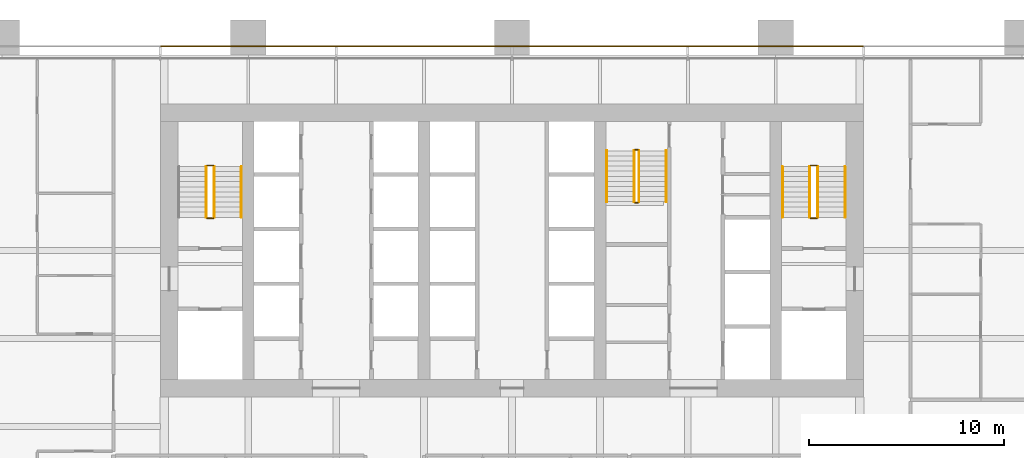
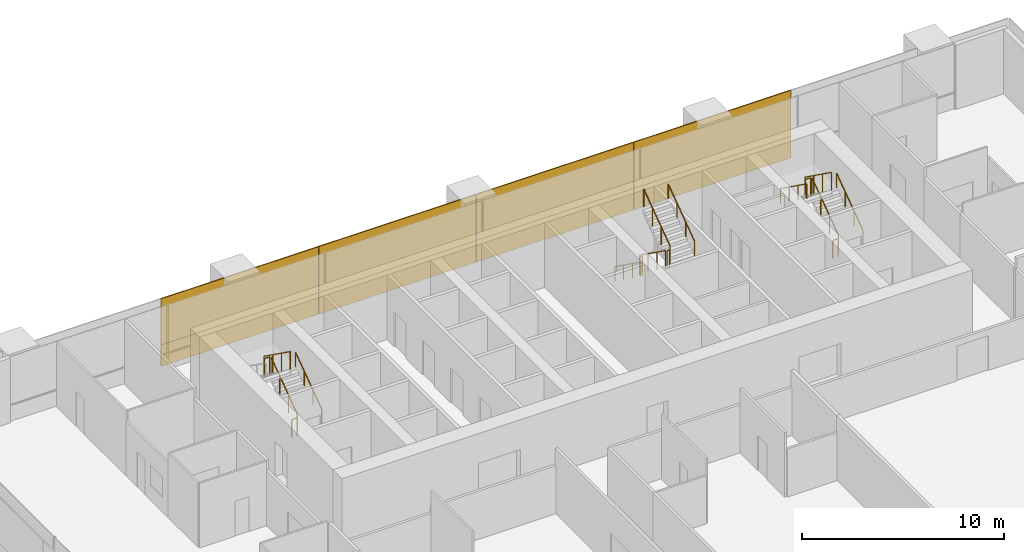
# One storey, part 18 of 19: 17 railings, 8 coverings.
"""IFC4 building model written with IfcOpenShell, lengths in metres."""

from ifc_helpers import new_model, si_unit, direction, frame, origin, origin_2d, place, context, subcontext, project, spatial, rectangle, extrude, material, layer, layer_set, type_object, element, save


model = new_model("IFC4")

# Units and contexts
model_context = context("Model", 3, precision=1e-05, world=origin(), true_north=direction((0.0, 1.0)))
body_context = subcontext(model_context, "Body", "Model", "MODEL_VIEW")
ifc_project = project(units=[si_unit("LENGTHUNIT", "METRE"), si_unit("AREAUNIT", "SQUARE_METRE"), si_unit("VOLUMEUNIT", "CUBIC_METRE"), si_unit("PLANEANGLEUNIT", "RADIAN"), si_unit("MASSUNIT", "GRAM", prefix="KILO")], contexts=[model_context])

# Site, building, storey
site_placement = place(None, origin())
site = spatial("IfcSite", under=ifc_project, at=site_placement, CompositionType="ELEMENT")
building_placement = place(site_placement, origin())
building = spatial("IfcBuilding", under=site, at=building_placement, Name="Rattan Terrace Tower", CompositionType="ELEMENT")
storey_placement = place(building_placement, frame((0.0, 0.0, 52.89990234375)))
storey = spatial("IfcBuildingStorey", under=building, at=storey_placement, Name="L11", CompositionType="ELEMENT", Elevation=52.89990234375)

# Railings
ifc_material_1 = material(Name="Powder-coated steel guard", Category="steel")
railing_type_1 = type_object("IfcRailingType", Name="Core stair guard", PredefinedType="GUARDRAIL", material=ifc_material_1)
railing_1_placement = place(storey_placement, frame((-15.25, 1.699951171875, 0.1865234375)))
element("IfcRailing", 1, at=railing_1_placement, inside=storey, type_object=railing_type_1, Name="L11 S1 stair guard 1", PredefinedType="GUARDRAIL", context=body_context, shape_type="SweptSolid", body=[
    extrude(rectangle(XDim=0.048095703125, YDim=0.048095703125, at=origin_2d()), frame((0.0, 0.0, 1.076171875), z_axis=(0.0, 0.812799059333, 0.582544152102), x_axis=(-1.0, 0.0, 0.0)), (0.0, 0.0, 1.0), 3.198974609375),
    extrude(rectangle(XDim=0.0419921875, YDim=0.0419921875, at=origin_2d()), origin(), (0.0, 0.0, 1.0), 1.052001953125),
    extrude(rectangle(XDim=0.0419921875, YDim=0.0419921875, at=origin_2d()), frame((0.0, 0.86669921875, 0.62109375)), (0.0, 0.0, 1.0), 1.052001953125),
    extrude(rectangle(XDim=0.0419921875, YDim=0.0419921875, at=origin_2d()), frame((0.0, 1.7333984375, 1.242431640625)), (0.0, 0.0, 1.0), 1.052001953125),
    extrude(rectangle(XDim=0.0419921875, YDim=0.0419921875, at=origin_2d()), frame((0.0, 2.60009765625, 1.863525390625)), (0.0, 0.0, 1.0), 1.052001953125),
])
railing_2_placement = place(storey_placement, frame((-15.300048828125, 4.35009765625, 2.050048828125)))
element("IfcRailing", 2, at=railing_2_placement, inside=storey, type_object=railing_type_1, Name="L11 S1 stair guard 2", PredefinedType="GUARDRAIL", context=body_context, shape_type="SweptSolid", body=[
    extrude(rectangle(XDim=0.048095703125, YDim=0.048095703125, at=origin_2d()), frame((0.0, 0.0, 1.076171875), z_axis=(-1.0, 0.0, 0.0), x_axis=(0.0, -1.0, 0.0)), (0.0, 0.0, 1.0), 0.300048828125),
    extrude(rectangle(XDim=0.0419921875, YDim=0.0419921875, at=origin_2d()), origin(), (0.0, 0.0, 1.0), 1.052001953125),
    extrude(rectangle(XDim=0.0419921875, YDim=0.0419921875, at=origin_2d()), frame((-0.300048828125, 0.0, 0.0)), (0.0, 0.0, 1.0), 1.052001953125),
])
railing_3_placement = place(storey_placement, frame((-15.64990234375, 4.300048828125, 2.236572265625)))
element("IfcRailing", 3, at=railing_3_placement, inside=storey, type_object=railing_type_1, Name="L11 S1 stair guard 3", PredefinedType="GUARDRAIL", context=body_context, shape_type="SweptSolid", body=[
    extrude(rectangle(XDim=0.048095703125, YDim=0.048095703125, at=origin_2d()), frame((0.0, 0.0, 1.076171875), z_axis=(0.0, -0.812799059333, 0.582544152102), x_axis=(1.0, 0.0, 0.0)), (0.0, 0.0, 1.0), 3.198974609375),
    extrude(rectangle(XDim=0.0419921875, YDim=0.0419921875, at=origin_2d()), origin(), (0.0, 0.0, 1.0), 1.052001953125),
    extrude(rectangle(XDim=0.0419921875, YDim=0.0419921875, at=origin_2d()), frame((0.0, -0.86669921875, 0.62109375)), (0.0, 0.0, 1.0), 1.052001953125),
    extrude(rectangle(XDim=0.0419921875, YDim=0.0419921875, at=origin_2d()), frame((0.0, -1.7333984375, 1.242431640625)), (0.0, 0.0, 1.0), 1.052001953125),
    extrude(rectangle(XDim=0.0419921875, YDim=0.0419921875, at=origin_2d()), frame((0.0, -2.60009765625, 1.863525390625)), (0.0, 0.0, 1.0), 1.052001953125),
])
railing_4_placement = place(storey_placement, frame((-15.300048828125, 1.64990234375, 0.0)))
element("IfcRailing", 4, at=railing_4_placement, inside=storey, type_object=railing_type_1, Name="L11 S1 stair guard 4", PredefinedType="GUARDRAIL", context=body_context, shape_type="SweptSolid", body=[
    extrude(rectangle(XDim=0.048095703125, YDim=0.048095703125, at=origin_2d()), frame((0.0, 0.0, 1.076171875), z_axis=(-1.0, 0.0, 0.0), x_axis=(0.0, -1.0, 0.0)), (0.0, 0.0, 1.0), 0.300048828125),
    extrude(rectangle(XDim=0.0419921875, YDim=0.0419921875, at=origin_2d()), origin(), (0.0, 0.0, 1.0), 1.052001953125),
    extrude(rectangle(XDim=0.0419921875, YDim=0.0419921875, at=origin_2d()), frame((-0.300048828125, 0.0, 0.0)), (0.0, 0.0, 1.0), 1.052001953125),
])
railing_5_placement = place(storey_placement, frame((15.64990234375, 1.699951171875, 0.1865234375)))
element("IfcRailing", 5, at=railing_5_placement, inside=storey, type_object=railing_type_1, Name="L11 S2 stair guard 1", PredefinedType="GUARDRAIL", context=body_context, shape_type="SweptSolid", body=[
    extrude(rectangle(XDim=0.048095703125, YDim=0.048095703125, at=origin_2d()), frame((0.0, 0.0, 1.076171875), z_axis=(0.0, 0.812799059333, 0.582544152102), x_axis=(-1.0, 0.0, 0.0)), (0.0, 0.0, 1.0), 3.198974609375),
    extrude(rectangle(XDim=0.0419921875, YDim=0.0419921875, at=origin_2d()), origin(), (0.0, 0.0, 1.0), 1.052001953125),
    extrude(rectangle(XDim=0.0419921875, YDim=0.0419921875, at=origin_2d()), frame((0.0, 0.86669921875, 0.62109375)), (0.0, 0.0, 1.0), 1.052001953125),
    extrude(rectangle(XDim=0.0419921875, YDim=0.0419921875, at=origin_2d()), frame((0.0, 1.7333984375, 1.242431640625)), (0.0, 0.0, 1.0), 1.052001953125),
    extrude(rectangle(XDim=0.0419921875, YDim=0.0419921875, at=origin_2d()), frame((0.0, 2.60009765625, 1.863525390625)), (0.0, 0.0, 1.0), 1.052001953125),
])
railing_6_placement = place(storey_placement, frame((15.60009765625, 4.35009765625, 2.050048828125)))
element("IfcRailing", 6, at=railing_6_placement, inside=storey, type_object=railing_type_1, Name="L11 S2 stair guard 2", PredefinedType="GUARDRAIL", context=body_context, shape_type="SweptSolid", body=[
    extrude(rectangle(XDim=0.048095703125, YDim=0.048095703125, at=origin_2d()), frame((0.0, 0.0, 1.076171875), z_axis=(-1.0, 0.0, 0.0), x_axis=(0.0, -1.0, 0.0)), (0.0, 0.0, 1.0), 0.300048828125),
    extrude(rectangle(XDim=0.0419921875, YDim=0.0419921875, at=origin_2d()), origin(), (0.0, 0.0, 1.0), 1.052001953125),
    extrude(rectangle(XDim=0.0419921875, YDim=0.0419921875, at=origin_2d()), frame((-0.300048828125, 0.0, 0.0)), (0.0, 0.0, 1.0), 1.052001953125),
])
railing_7_placement = place(storey_placement, frame((15.25, 4.300048828125, 2.236572265625)))
element("IfcRailing", 7, at=railing_7_placement, inside=storey, type_object=railing_type_1, Name="L11 S2 stair guard 3", PredefinedType="GUARDRAIL", context=body_context, shape_type="SweptSolid", body=[
    extrude(rectangle(XDim=0.048095703125, YDim=0.048095703125, at=origin_2d()), frame((0.0, 0.0, 1.076171875), z_axis=(0.0, -0.812799059333, 0.582544152102), x_axis=(1.0, 0.0, 0.0)), (0.0, 0.0, 1.0), 3.198974609375),
    extrude(rectangle(XDim=0.0419921875, YDim=0.0419921875, at=origin_2d()), origin(), (0.0, 0.0, 1.0), 1.052001953125),
    extrude(rectangle(XDim=0.0419921875, YDim=0.0419921875, at=origin_2d()), frame((0.0, -0.86669921875, 0.62109375)), (0.0, 0.0, 1.0), 1.052001953125),
    extrude(rectangle(XDim=0.0419921875, YDim=0.0419921875, at=origin_2d()), frame((0.0, -1.7333984375, 1.242431640625)), (0.0, 0.0, 1.0), 1.052001953125),
    extrude(rectangle(XDim=0.0419921875, YDim=0.0419921875, at=origin_2d()), frame((0.0, -2.60009765625, 1.863525390625)), (0.0, 0.0, 1.0), 1.052001953125),
])
railing_8_placement = place(storey_placement, frame((15.60009765625, 1.64990234375, 0.0)))
element("IfcRailing", 8, at=railing_8_placement, inside=storey, type_object=railing_type_1, Name="L11 S2 stair guard 4", PredefinedType="GUARDRAIL", context=body_context, shape_type="SweptSolid", body=[
    extrude(rectangle(XDim=0.048095703125, YDim=0.048095703125, at=origin_2d()), frame((0.0, 0.0, 1.076171875), z_axis=(-1.0, 0.0, 0.0), x_axis=(0.0, -1.0, 0.0)), (0.0, 0.0, 1.0), 0.300048828125),
    extrude(rectangle(XDim=0.0419921875, YDim=0.0419921875, at=origin_2d()), origin(), (0.0, 0.0, 1.0), 1.052001953125),
    extrude(rectangle(XDim=0.0419921875, YDim=0.0419921875, at=origin_2d()), frame((-0.300048828125, 0.0, 0.0)), (0.0, 0.0, 1.0), 1.052001953125),
])
railing_9_placement = place(storey_placement, frame((6.25, 5.10009765625, 0.1865234375)))
element("IfcRailing", 9, at=railing_9_placement, inside=storey, type_object=railing_type_1, Name="L11 S3 stair guard 1", PredefinedType="GUARDRAIL", context=body_context, shape_type="SweptSolid", body=[
    extrude(rectangle(XDim=0.048095703125, YDim=0.048095703125, at=origin_2d()), frame((0.0, 0.0, 1.076171875), z_axis=(0.0, -0.812799059333, 0.582544152102), x_axis=(1.0, 0.0, 0.0)), (0.0, 0.0, 1.0), 3.198974609375),
    extrude(rectangle(XDim=0.0419921875, YDim=0.0419921875, at=origin_2d()), origin(), (0.0, 0.0, 1.0), 1.052001953125),
    extrude(rectangle(XDim=0.0419921875, YDim=0.0419921875, at=origin_2d()), frame((0.0, -0.86669921875, 0.62109375)), (0.0, 0.0, 1.0), 1.052001953125),
    extrude(rectangle(XDim=0.0419921875, YDim=0.0419921875, at=origin_2d()), frame((0.0, -1.7333984375, 1.242431640625)), (0.0, 0.0, 1.0), 1.052001953125),
    extrude(rectangle(XDim=0.0419921875, YDim=0.0419921875, at=origin_2d()), frame((0.0, -2.60009765625, 1.863525390625)), (0.0, 0.0, 1.0), 1.052001953125),
])
railing_10_placement = place(storey_placement, frame((6.300048828125, 2.449951171875, 2.050048828125)))
element("IfcRailing", 10, at=railing_10_placement, inside=storey, type_object=railing_type_1, Name="L11 S3 stair guard 2", PredefinedType="GUARDRAIL", context=body_context, shape_type="SweptSolid", body=[
    extrude(rectangle(XDim=0.048095703125, YDim=0.048095703125, at=origin_2d()), frame((0.0, 0.0, 1.076171875), z_axis=(1.0, 0.0, 0.0), x_axis=(0.0, 1.0, 0.0)), (0.0, 0.0, 1.0), 0.14990234375),
    extrude(rectangle(XDim=0.0419921875, YDim=0.0419921875, at=origin_2d()), origin(), (0.0, 0.0, 1.0), 1.052001953125),
    extrude(rectangle(XDim=0.0419921875, YDim=0.0419921875, at=origin_2d()), frame((0.14990234375, 0.0, 0.0)), (0.0, 0.0, 1.0), 1.052001953125),
])
railing_11_placement = place(storey_placement, frame((6.5, 2.5, 2.236572265625)))
element("IfcRailing", 11, at=railing_11_placement, inside=storey, type_object=railing_type_1, Name="L11 S3 stair guard 3", PredefinedType="GUARDRAIL", context=body_context, shape_type="SweptSolid", body=[
    extrude(rectangle(XDim=0.048095703125, YDim=0.048095703125, at=origin_2d()), frame((0.0, 0.0, 1.076171875), z_axis=(0.0, 0.812799059333, 0.582544152102), x_axis=(-1.0, 0.0, 0.0)), (0.0, 0.0, 1.0), 3.198974609375),
    extrude(rectangle(XDim=0.0419921875, YDim=0.0419921875, at=origin_2d()), origin(), (0.0, 0.0, 1.0), 1.052001953125),
    extrude(rectangle(XDim=0.0419921875, YDim=0.0419921875, at=origin_2d()), frame((0.0, 0.86669921875, 0.62109375)), (0.0, 0.0, 1.0), 1.052001953125),
    extrude(rectangle(XDim=0.0419921875, YDim=0.0419921875, at=origin_2d()), frame((0.0, 1.7333984375, 1.242431640625)), (0.0, 0.0, 1.0), 1.052001953125),
    extrude(rectangle(XDim=0.0419921875, YDim=0.0419921875, at=origin_2d()), frame((0.0, 2.60009765625, 1.863525390625)), (0.0, 0.0, 1.0), 1.052001953125),
])
railing_12_placement = place(storey_placement, frame((6.300048828125, 5.14990234375, 0.0)))
element("IfcRailing", 12, at=railing_12_placement, inside=storey, type_object=railing_type_1, Name="L11 S3 stair guard 4", PredefinedType="GUARDRAIL", context=body_context, shape_type="SweptSolid", body=[
    extrude(rectangle(XDim=0.048095703125, YDim=0.048095703125, at=origin_2d()), frame((0.0, 0.0, 1.076171875), z_axis=(1.0, 0.0, 0.0), x_axis=(0.0, 1.0, 0.0)), (0.0, 0.0, 1.0), 0.14990234375),
    extrude(rectangle(XDim=0.0419921875, YDim=0.0419921875, at=origin_2d()), origin(), (0.0, 0.0, 1.0), 1.052001953125),
    extrude(rectangle(XDim=0.0419921875, YDim=0.0419921875, at=origin_2d()), frame((0.14990234375, 0.0, 0.0)), (0.0, 0.0, 1.0), 1.052001953125),
])
ifc_material_2 = material(Name="Powder-coated steel handrail", Category="steel")
railing_type_2 = type_object("IfcRailingType", Name="Core stair handrail", PredefinedType="HANDRAIL", material=ifc_material_2)
for number, where, name in (
    (13, (-13.85009765625, 1.699951171875, 0.1865234375), "L11 S1 stair handrail 1"),
    (14, (17.050048828125, 1.699951171875, 0.1865234375), "L11 S2 stair handrail 1"),
):
    element("IfcRailing", number, at=place(storey_placement, frame(where)), inside=storey, type_object=railing_type_2, Name=name, PredefinedType="HANDRAIL", context=body_context, shape_type="SweptSolid", body=[
        extrude(rectangle(XDim=0.048095703125, YDim=0.048095703125, at=origin_2d()), frame((0.0, 0.0, 0.8759765625), z_axis=(0.0, 0.812799059333, 0.582544152102), x_axis=(-1.0, 0.0, 0.0)), (0.0, 0.0, 1.0), 3.198974609375),
        extrude(rectangle(XDim=0.0419921875, YDim=0.0419921875, at=origin_2d()), origin(), (0.0, 0.0, 1.0), 0.851806640625),
        extrude(rectangle(XDim=0.0419921875, YDim=0.0419921875, at=origin_2d()), frame((0.0, 0.86669921875, 0.62109375)), (0.0, 0.0, 1.0), 0.851806640625),
        extrude(rectangle(XDim=0.0419921875, YDim=0.0419921875, at=origin_2d()), frame((0.0, 1.7333984375, 1.242431640625)), (0.0, 0.0, 1.0), 0.851806640625),
        extrude(rectangle(XDim=0.0419921875, YDim=0.0419921875, at=origin_2d()), frame((0.0, 2.60009765625, 1.863525390625)), (0.0, 0.0, 1.0), 0.851806640625),
    ])
for number, where, name in (
    (15, (13.85009765625, 4.300048828125, 2.236572265625), "L11 S2 stair handrail 2"),
    (16, (4.85009765625, 5.10009765625, 0.1865234375), "L11 S3 stair handrail 1"),
):
    element("IfcRailing", number, at=place(storey_placement, frame(where)), inside=storey, type_object=railing_type_2, Name=name, PredefinedType="HANDRAIL", context=body_context, shape_type="SweptSolid", body=[
        extrude(rectangle(XDim=0.048095703125, YDim=0.048095703125, at=origin_2d()), frame((0.0, 0.0, 0.8759765625), z_axis=(0.0, -0.812799059333, 0.582544152102), x_axis=(1.0, 0.0, 0.0)), (0.0, 0.0, 1.0), 3.198974609375),
        extrude(rectangle(XDim=0.0419921875, YDim=0.0419921875, at=origin_2d()), origin(), (0.0, 0.0, 1.0), 0.851806640625),
        extrude(rectangle(XDim=0.0419921875, YDim=0.0419921875, at=origin_2d()), frame((0.0, -0.86669921875, 0.62109375)), (0.0, 0.0, 1.0), 0.851806640625),
        extrude(rectangle(XDim=0.0419921875, YDim=0.0419921875, at=origin_2d()), frame((0.0, -1.7333984375, 1.242431640625)), (0.0, 0.0, 1.0), 0.851806640625),
        extrude(rectangle(XDim=0.0419921875, YDim=0.0419921875, at=origin_2d()), frame((0.0, -2.60009765625, 1.863525390625)), (0.0, 0.0, 1.0), 0.851806640625),
    ])
railing_13_placement = place(storey_placement, frame((7.89990234375, 2.5, 2.236572265625)))
element("IfcRailing", 17, at=railing_13_placement, inside=storey, type_object=railing_type_2, Name="L11 S3 stair handrail 2", PredefinedType="HANDRAIL", context=body_context, shape_type="SweptSolid", body=[
    extrude(rectangle(XDim=0.048095703125, YDim=0.048095703125, at=origin_2d()), frame((0.0, 0.0, 0.8759765625), z_axis=(0.0, 0.812799059333, 0.582544152102), x_axis=(-1.0, 0.0, 0.0)), (0.0, 0.0, 1.0), 3.198974609375),
    extrude(rectangle(XDim=0.0419921875, YDim=0.0419921875, at=origin_2d()), origin(), (0.0, 0.0, 1.0), 0.851806640625),
    extrude(rectangle(XDim=0.0419921875, YDim=0.0419921875, at=origin_2d()), frame((0.0, 0.86669921875, 0.62109375)), (0.0, 0.0, 1.0), 0.851806640625),
    extrude(rectangle(XDim=0.0419921875, YDim=0.0419921875, at=origin_2d()), frame((0.0, 1.7333984375, 1.242431640625)), (0.0, 0.0, 1.0), 0.851806640625),
    extrude(rectangle(XDim=0.0419921875, YDim=0.0419921875, at=origin_2d()), frame((0.0, 2.60009765625, 1.863525390625)), (0.0, 0.0, 1.0), 0.851806640625),
])

# Coverings
ifc_material_3 = material(Name="Solid terracotta", Category="masonry")
ifc_layer_1 = layer(ifc_material_3, 0.06005859375)
ifc_layer_set_1 = layer_set([ifc_layer_1], Name="Facade Terracotta Band Panel")
covering_type_1 = type_object("IfcCoveringType", Name="Facade Terracotta Band Panel", PredefinedType="CLADDING", material=ifc_layer_set_1)
for number, where, z_axis, x_axis, name in (
    (18, (13.5, 10.449951171875, -0.18994140625), (0.0, 0.0, 1.0), (-1.0, 0.0, 0.0), "OUTER SKIN panel L11-16A"),
    (19, (4.5, 10.449951171875, -0.18994140625), (0.0, 0.0, 1.0), (-1.0, 0.0, 0.0), "OUTER SKIN panel L11-17A"),
    (20, (-4.5, 10.449951171875, -0.18994140625), (0.0, 0.0, 1.0), (-1.0, 0.0, 0.0), "OUTER SKIN panel L11-18A"),
    (21, (-13.5, 10.449951171875, -0.18994140625), (0.0, 0.0, 1.0), (-1.0, 0.0, 0.0), "OUTER SKIN panel L11-19A"),
):
    element("IfcCovering", number, at=place(storey_placement, frame(where, z_axis=z_axis, x_axis=x_axis)), inside=storey, type_object=covering_type_1, Name=name, PredefinedType="CLADDING", context=body_context, shape_type="SweptSolid", body=[
        extrude(rectangle(XDim=8.97998046875, YDim=0.06005859375, at=origin_2d()), origin(), (0.0, 0.0, 1.0), 1.300048828125),
    ])
ifc_material_4 = material(Name="Perforated terracotta", Category="masonry")
ifc_layer_2 = layer(ifc_material_4, 0.06005859375)
ifc_layer_set_2 = layer_set([ifc_layer_2], Name="Facade Terracotta Screen Panel")
covering_type_2 = type_object("IfcCoveringType", Name="Facade Terracotta Screen Panel", PredefinedType="CLADDING", material=ifc_layer_set_2)
for number, where, z_axis, x_axis, name in (
    (22, (13.5, 10.449951171875, 1.10986328125), (0.0, 0.0, 1.0), (-1.0, 0.0, 0.0), "OUTER SKIN panel L11-16B"),
    (23, (4.5, 10.449951171875, 1.10986328125), (0.0, 0.0, 1.0), (-1.0, 0.0, 0.0), "OUTER SKIN panel L11-17B"),
    (24, (-4.5, 10.449951171875, 1.10986328125), (0.0, 0.0, 1.0), (-1.0, 0.0, 0.0), "OUTER SKIN panel L11-18B"),
    (25, (-13.5, 10.449951171875, 1.10986328125), (0.0, 0.0, 1.0), (-1.0, 0.0, 0.0), "OUTER SKIN panel L11-19B"),
):
    element("IfcCovering", number, at=place(storey_placement, frame(where, z_axis=z_axis, x_axis=x_axis)), inside=storey, type_object=covering_type_2, Name=name, PredefinedType="CLADDING", context=body_context, shape_type="SweptSolid", body=[
        extrude(rectangle(XDim=8.97998046875, YDim=0.06005859375, at=origin_2d()), origin(), (0.0, 0.0, 1.0), 2.780029296875),
    ])

save(model, "model.ifc")
